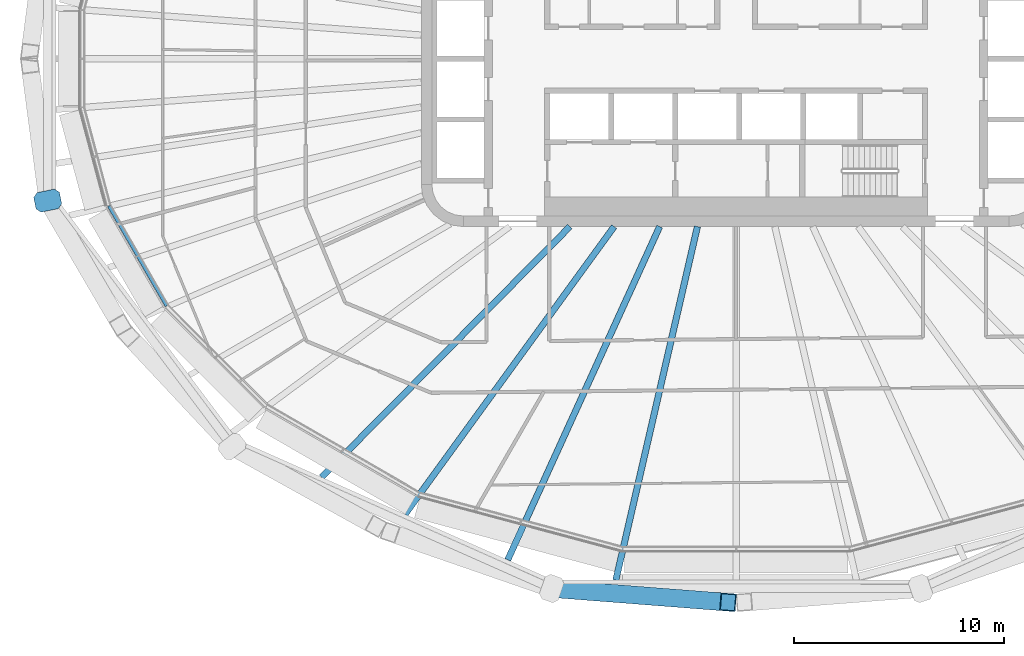
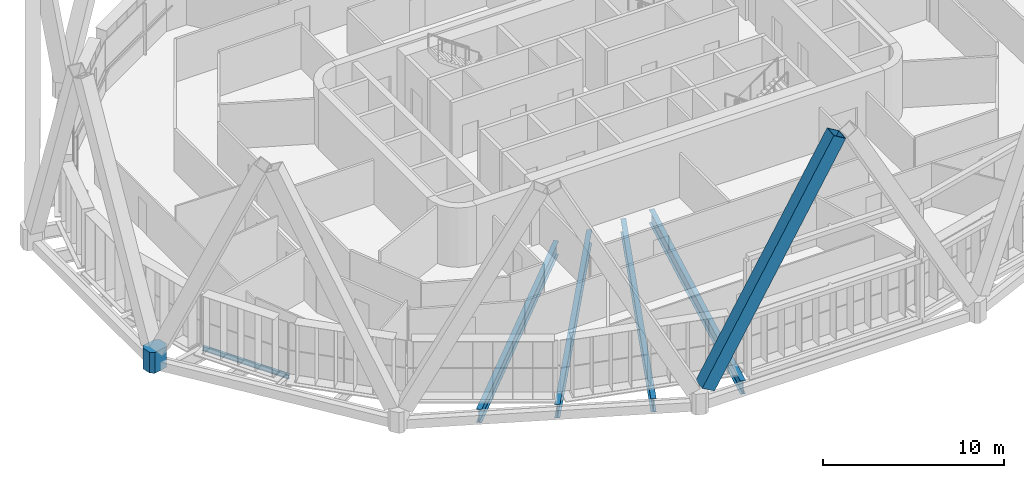
# One storey, part 2 of 25: 5 beams, 2 members.
"""IFC4 building model written with IfcOpenShell, lengths in metres."""

import ifcopenshell
import ifcopenshell.guid

model = None  # the IFC model being written
_history = None  # IfcOwnerHistory: only IFC2X3 demands one
_inside = {}  # id of a spatial element -> (the spatial element, [elements in it])
_under = {}  # id of a project, library or spatial element -> (it, [spatial elements below it])
_declared = {}  # id of a project -> (the project, [libraries it declares])
_typed = {}  # id of a type object -> (the type object, [elements of that type])
_made_of = {}  # id of a material, layer set ... -> (it, [elements and type objects made of it])


def new_model(schema):
    """Start an empty IFC model of exactly this schema.

    Asked for "IFC4X3", IfcOpenShell would pick the latest addendum, in which some entities
    have other attributes; the version numbers below select the first issue.
    IFC2X3 requires an IfcOwnerHistory on every rooted entity: one is made here for all.
    """
    global model, _history
    if schema == "IFC4X3":
        model = ifcopenshell.file(schema_version=(4, 3, 0, 0))
    else:
        model = ifcopenshell.file(schema=schema)
    _inside.clear()
    _under.clear()
    _declared.clear()
    _typed.clear()
    _made_of.clear()
    _history = None
    if model.schema == "IFC2X3":
        org = make("IfcOrganization", Name="unknown")
        user = make(
            "IfcPersonAndOrganization",
            ThePerson=make("IfcPerson", FamilyName="unknown"),
            TheOrganization=org,
        )
        app = make(
            "IfcApplication",
            ApplicationDeveloper=org,
            Version="unknown",
            ApplicationFullName="unknown",
            ApplicationIdentifier="unknown",
        )
        _history = make(
            "IfcOwnerHistory",
            OwningUser=user,
            OwningApplication=app,
            ChangeAction="ADDED",
            CreationDate=0,
        )
    return model


def make(cls, **values):
    """One entity of the class cls with the attributes given. An attribute that is None is left unset."""
    return model.create_entity(
        cls, **{name: value for name, value in values.items() if value is not None}
    )


def rooted(cls, **values):
    """An entity with a GlobalId (a new one), such as an element, a storey or a relation."""
    return make(cls, GlobalId=ifcopenshell.guid.new(), OwnerHistory=_history, **values)


def si_unit(unit_type, name, prefix=None):
    """IfcSIUnit, for example si_unit("LENGTHUNIT", "METRE", prefix="MILLI")."""
    return make("IfcSIUnit", UnitType=unit_type, Prefix=prefix, Name=name)


def assignment(units):
    """IfcUnitAssignment: the units of a project."""
    return None if units is None else make("IfcUnitAssignment", Units=units)


def point(xyz):
    """IfcCartesianPoint."""
    return None if xyz is None else make("IfcCartesianPoint", Coordinates=xyz)


def direction(xyz):
    """IfcDirection."""
    return None if xyz is None else make("IfcDirection", DirectionRatios=xyz)


def frame(location, z_axis=None, x_axis=None):
    """IfcAxis2Placement3D, a coordinate frame: its origin and axes. An axis left out is left unset."""
    return make(
        "IfcAxis2Placement3D",
        Location=point(location),
        Axis=direction(z_axis),
        RefDirection=direction(x_axis),
    )


def frame_2d(location, x_axis=None):
    """IfcAxis2Placement2D, a coordinate frame in the plane: its origin and x axis."""
    return make(
        "IfcAxis2Placement2D", Location=point(location), RefDirection=direction(x_axis)
    )


def origin():
    """The frame at (0, 0, 0) with its axes left unset."""
    return frame((0.0, 0.0, 0.0))


def origin_2d():
    """The frame at (0, 0) in the plane with its x axis left unset."""
    return frame_2d((0.0, 0.0))


def place(relative_to, where):
    """IfcLocalPlacement: puts the frame where relative to a parent placement (None: the world)."""
    return make(
        "IfcLocalPlacement", PlacementRelTo=relative_to, RelativePlacement=where
    )


def context(
    kind, dimensions, precision=None, world=None, true_north=None, identifier=None
):
    """IfcGeometricRepresentationContext, for example the 3D "Model" context."""
    return make(
        "IfcGeometricRepresentationContext",
        ContextIdentifier=identifier,
        ContextType=kind,
        CoordinateSpaceDimension=dimensions,
        Precision=precision,
        WorldCoordinateSystem=world,
        TrueNorth=true_north,
    )


def subcontext(parent, identifier, kind, view, scale=None):
    """IfcGeometricRepresentationSubContext, for example "Body" below "Model"."""
    return make(
        "IfcGeometricRepresentationSubContext",
        ContextIdentifier=identifier,
        ContextType=kind,
        ParentContext=parent,
        TargetScale=scale,
        TargetView=view,
    )


def project(units=None, contexts=None):
    """IfcProject with its units and contexts."""
    return rooted(
        "IfcProject",
        Name="project",
        RepresentationContexts=contexts,
        UnitsInContext=assignment(units),
    )


def spatial(cls, under=None, at=None, **own):
    """A site, building, storey or space (cls), placed at a placement, below another one or the project."""
    s = rooted(cls, ObjectPlacement=at, **own)
    if under is not None:
        _under.setdefault(under.id(), (under, []))[1].append(s)
    return s


def polyline(points):
    """IfcPolyline through the points."""
    return make("IfcPolyline", Points=[point(p) for p in points])


def profile(cls, at=None, kind="AREA", **sizes):
    """A parametric profile (cls). Its sizes go by their IFC names, for example OverallWidth=200.0."""
    return make(cls, ProfileType=kind, Position=at, **sizes)


def hollow_rectangle(**sizes):
    """IfcRectangleHollowProfileDef."""
    return profile("IfcRectangleHollowProfileDef", **sizes)


def i_section(**sizes):
    """IfcIShapeProfileDef."""
    return profile("IfcIShapeProfileDef", **sizes)


def outline(outer, holes=None, kind="AREA"):
    """IfcArbitraryClosedProfileDef: a profile drawn as a closed curve; with holes, ...WithVoids."""
    if holes is None:
        return make("IfcArbitraryClosedProfileDef", ProfileType=kind, OuterCurve=outer)
    return make(
        "IfcArbitraryProfileDefWithVoids",
        ProfileType=kind,
        OuterCurve=outer,
        InnerCurves=holes,
    )


def extrude(swept, where, along, depth):
    """IfcExtrudedAreaSolid: the profile swept, set in the frame where, extruded along a direction by depth."""
    return make(
        "IfcExtrudedAreaSolid",
        SweptArea=swept,
        Position=where,
        ExtrudedDirection=direction(along),
        Depth=depth,
    )


def shape(context_of_items, identifier, shape_type, items):
    """IfcShapeRepresentation: the items that make up one representation, for example the "Body"."""
    return make(
        "IfcShapeRepresentation",
        ContextOfItems=context_of_items,
        RepresentationIdentifier=identifier,
        RepresentationType=shape_type,
        Items=items,
    )


def material(Name=None, Category=None):
    """IfcMaterial."""
    return make("IfcMaterial", Name=Name, Category=Category)


def material_profile(
    of_material, cross_section, Name=None, Category=None, Priority=None
):
    """IfcMaterialProfile: a cross section and its material."""
    return make(
        "IfcMaterialProfile",
        Name=Name,
        Material=of_material,
        Profile=cross_section,
        Priority=Priority,
        Category=Category,
    )


def profile_set(profiles, Name=None, composite=None):
    """IfcMaterialProfileSet."""
    return make(
        "IfcMaterialProfileSet",
        Name=Name,
        MaterialProfiles=profiles,
        CompositeProfile=composite,
    )


def made_of(thing, what):
    """Note that an element or type object is made of a material, layer set ...; save() writes the relation."""
    if what is not None:
        _made_of.setdefault(what.id(), (what, []))[1].append(thing)
    return thing


def type_object(cls, material=None, **own):
    """A type object (cls), such as IfcWallType, which elements share."""
    return made_of(rooted(cls, **own), material)


def element(
    cls,
    number,
    at=None,
    inside=None,
    cuts=None,
    type_object=None,
    material=None,
    context=None,
    identifier="Body",
    shape_type=None,
    held_by="IfcProductDefinitionShape",
    body=None,
    shapes=None,
    **own,
):
    """One element of the class cls, such as IfcWall. Its Tag is "e" and its number.

    at: its placement. inside: the storey or other place that contains it. cuts: it is an
    opening in that element (IfcRelVoidsElement). A single representation is given by context,
    identifier, shape_type and body (its items); several are given by shapes. held_by: the class
    of the entity that holds the representations. save() writes the other relations.
    """
    e = rooted(cls, Tag="e%d" % number, ObjectPlacement=at, **own)
    if body is not None:
        shapes = [shape(context, identifier, shape_type, body)]
    if shapes is not None:
        e.Representation = make(held_by, Representations=shapes)
    if inside is not None:
        _inside.setdefault(inside.id(), (inside, []))[1].append(e)
    if cuts is not None:
        rooted(
            "IfcRelVoidsElement", RelatingBuildingElement=cuts, RelatedOpeningElement=e
        )
    if type_object is not None:
        _typed.setdefault(type_object.id(), (type_object, []))[1].append(e)
    return made_of(e, material)


def aggregate(whole, parts):
    """IfcRelAggregates: a whole, such as a stair, and the parts it consists of."""
    return rooted("IfcRelAggregates", RelatingObject=whole, RelatedObjects=parts)


def save(model, path):
    """Write the relations noted so far, then the file.

    IfcRelAggregates (storeys below a building ...), IfcRelContainedInSpatialStructure (elements
    in a storey), IfcRelDefinesByType, IfcRelAssociatesMaterial and IfcRelDeclares: one each for
    every whole, place, type object, material and project.
    """
    for whole, parts in _under.values():
        aggregate(whole, parts)
    for where, things in _inside.values():
        rooted(
            "IfcRelContainedInSpatialStructure",
            RelatedElements=things,
            RelatingStructure=where,
        )
    for kind, things in _typed.values():
        rooted("IfcRelDefinesByType", RelatedObjects=things, RelatingType=kind)
    for what, things in _made_of.values():
        rooted("IfcRelAssociatesMaterial", RelatedObjects=things, RelatingMaterial=what)
    for by, libraries in _declared.values():
        rooted("IfcRelDeclares", RelatingContext=by, RelatedDefinitions=libraries)
    model.write(path)


model = new_model("IFC4")

# Units and contexts
model_context = context("Model", 3, precision=1e-05, world=origin(), true_north=direction((0.0, 1.0)))
body_context = subcontext(model_context, "Body", "Model", "MODEL_VIEW")
ifc_project = project(units=[si_unit("LENGTHUNIT", "METRE"), si_unit("AREAUNIT", "SQUARE_METRE"), si_unit("VOLUMEUNIT", "CUBIC_METRE"), si_unit("PLANEANGLEUNIT", "RADIAN"), si_unit("MASSUNIT", "GRAM", prefix="KILO")], contexts=[model_context])

# Site, building, storey
site_placement = place(None, origin())
site = spatial("IfcSite", under=ifc_project, at=site_placement, CompositionType="ELEMENT")
building_placement = place(site_placement, origin())
building = spatial("IfcBuilding", under=site, at=building_placement, Name="Sahrelin Media Tower", CompositionType="ELEMENT")
storey_placement = place(building_placement, frame((0.0, 0.0, 165.60009765625)))
storey = spatial("IfcBuildingStorey", under=building, at=storey_placement, Name="L34", CompositionType="ELEMENT", Elevation=165.60009765625)

# Members
ifc_material_1 = material(Name="Steel S460", Category="steel")
ifc_material_profile_1 = material_profile(ifc_material_1, hollow_rectangle(XDim=0.85009765625, YDim=0.85009765625, WallThickness=0.044921875, at=origin_2d()), Name="Diagrid diagonal DG4")
ifc_profile_set_1 = profile_set([ifc_material_profile_1], Name="Steel S460")
member_type_1 = type_object("IfcMemberType", Name="Diagrid diagonal DG4", PredefinedType="BRACE", material=ifc_profile_set_1)
member_1_placement = place(storey_placement, frame((-8.40283203125, -25.27197265625, 0.699951171875), z_axis=(0.481047433854, -0.037364187308, 0.875897987148), x_axis=(0.077439317921, 0.996997067217, 0.0)))
element("IfcMember", 1, at=member_1_placement, inside=storey, type_object=member_type_1, Name="Diagrid diagonal D07-17", PredefinedType="BRACE", context=body_context, shape_type="SweptSolid", body=[
    extrude(hollow_rectangle(XDim=0.85009765625, YDim=0.85009765625, WallThickness=0.044921875, at=origin_2d()), origin(), (0.0, 0.0, 1.0), 16.66845703125),
])
ifc_material_profile_2 = material_profile(ifc_material_1, outline(polyline([(0.425048828125, -0.47509765625), (0.625, -0.27490234375), (0.625, 0.27490234375), (0.425048828125, 0.47509765625), (-0.425048828125, 0.47509765625), (-0.625, 0.27490234375), (-0.625, -0.27490234375), (-0.425048828125, -0.47509765625), (0.425048828125, -0.47509765625)])), Name="Diagrid node block 1250")
ifc_profile_set_2 = profile_set([ifc_material_profile_2], Name="Steel S460")
member_type_2 = type_object("IfcMemberType", Name="Diagrid node block 1250", PredefinedType="USERDEFINED", material=ifc_profile_set_2)
member_2_placement = place(storey_placement, frame((-32.794677734375, -6.763671875, -0.7001953125), z_axis=(0.0, 0.0, 1.0), x_axis=(-0.979387770926, -0.201989094163, 0.0)))
element("IfcMember", 2, at=member_2_placement, inside=storey, type_object=member_type_2, Name="Diagrid node N07-06", ObjectType="NODE", PredefinedType="USERDEFINED", context=body_context, shape_type="SweptSolid", body=[
    extrude(outline(polyline([(0.425048828125, -0.47509765625), (0.625, -0.27490234375), (0.625, 0.27490234375), (0.425048828125, 0.47509765625), (-0.425048828125, 0.47509765625), (-0.625, 0.27490234375), (-0.625, -0.27490234375), (-0.425048828125, -0.47509765625), (0.425048828125, -0.47509765625)])), origin(), (0.0, 0.0, 1.0), 1.400146484375),
])

# Beams
ifc_material_2 = material(Name="Steel S355", Category="steel")
ifc_material_profile_3 = material_profile(ifc_material_2, i_section(OverallWidth=0.1650390625, OverallDepth=0.303466796875, WebThickness=0.006103515625, FlangeThickness=0.01025390625, FilletRadius=0.0087890625, at=origin_2d()), Name="UB 305x165x40")
ifc_profile_set_3 = profile_set([ifc_material_profile_3], Name="Steel S355")
beam_type_1 = type_object("IfcBeamType", Name="Edge beam EB2", PredefinedType="BEAM", material=ifc_profile_set_3)
beam_1_placement = place(storey_placement, frame((-27.124267578125, -11.77392578125, -0.3017578125), z_axis=(-0.499995531332, 0.866027983755, 0.0), x_axis=(-0.866027983755, -0.499995531332, 0.0)))
element("IfcBeam", 3, at=beam_1_placement, inside=storey, type_object=beam_type_1, Name="Edge beam L34-11", PredefinedType="BEAM", context=body_context, shape_type="SweptSolid", body=[
    extrude(i_section(OverallWidth=0.1650390625, OverallDepth=0.303466796875, WebThickness=0.006103515625, FlangeThickness=0.01025390625, FilletRadius=0.0087890625, at=origin_2d()), origin(), (0.0, 0.0, 1.0), 5.49462890625),
])
ifc_material_profile_4 = material_profile(ifc_material_2, i_section(OverallWidth=0.30322265625, OverallDepth=0.903076171875, WebThickness=0.01513671875, FlangeThickness=0.020263671875, FilletRadius=0.01904296875, at=origin_2d()), Name="UB 914x305x201")
ifc_profile_set_4 = profile_set([ifc_material_profile_4], Name="Steel S355")
beam_type_2 = type_object("IfcBeamType", Name="Radial primary beam PB11", PredefinedType="BEAM", material=ifc_profile_set_4)
beam_2_placement = place(storey_placement, frame((-5.813232421875, -8.0, -0.6015625), z_axis=(-0.587842616911, -0.808975313432, 0.0), x_axis=(0.808975313432, -0.587842616911, 0.0)))
element("IfcBeam", 4, at=beam_2_placement, inside=storey, type_object=beam_type_2, Name="Radial beam L34-17", PredefinedType="BEAM", context=body_context, shape_type="SweptSolid", body=[
    extrude(i_section(OverallWidth=0.30322265625, OverallDepth=0.903076171875, WebThickness=0.01513671875, FlangeThickness=0.020263671875, FilletRadius=0.01904296875, at=origin_2d()), origin(), (0.0, 0.0, 1.0), 16.941650390625),
])
beam_3_placement = place(storey_placement, frame((-1.845458984375, -8.0, -0.6015625), z_axis=(-0.224792471001, -0.974406663042, 0.0), x_axis=(0.974406663042, -0.224792471001, 0.0)))
element("IfcBeam", 5, at=beam_3_placement, inside=storey, type_object=beam_type_2, Name="Radial beam L34-18", PredefinedType="BEAM", context=body_context, shape_type="SweptSolid", body=[
    extrude(i_section(OverallWidth=0.30322265625, OverallDepth=0.903076171875, WebThickness=0.01513671875, FlangeThickness=0.020263671875, FilletRadius=0.01904296875, at=origin_2d()), origin(), (0.0, 0.0, 1.0), 17.2890625),
])
ifc_material_profile_5 = material_profile(ifc_material_2, i_section(OverallWidth=0.30322265625, OverallDepth=0.903076171875, WebThickness=0.01513671875, FlangeThickness=0.020263671875, FilletRadius=0.01904296875, at=origin_2d()), Name="UB 914x305x201")
ifc_profile_set_5 = profile_set([ifc_material_profile_5], Name="Steel S355")
beam_type_3 = type_object("IfcBeamType", Name="Radial secondary beam SB11", PredefinedType="BEAM", material=ifc_profile_set_5)
beam_4_placement = place(storey_placement, frame((-7.922119140625, -8.0, -0.6015625), z_axis=(-0.703633012288, -0.710563567894, 0.0), x_axis=(0.710563567894, -0.703633012288, 0.0)))
element("IfcBeam", 6, at=beam_4_placement, inside=storey, type_object=beam_type_3, Name="Secondary beam L34-16", PredefinedType="BEAM", context=body_context, shape_type="SweptSolid", body=[
    extrude(i_section(OverallWidth=0.30322265625, OverallDepth=0.903076171875, WebThickness=0.01513671875, FlangeThickness=0.020263671875, FilletRadius=0.01904296875, at=origin_2d()), origin(), (0.0, 0.0, 1.0), 16.80322265625),
])
beam_5_placement = place(storey_placement, frame((-3.645263671875, -8.0, -0.6015625), z_axis=(-0.414653440066, -0.909979408911, 0.0), x_axis=(0.909979408911, -0.414653440066, 0.0)))
element("IfcBeam", 7, at=beam_5_placement, inside=storey, type_object=beam_type_3, Name="Secondary beam L34-17", PredefinedType="BEAM", context=body_context, shape_type="SweptSolid", body=[
    extrude(i_section(OverallWidth=0.30322265625, OverallDepth=0.903076171875, WebThickness=0.01513671875, FlangeThickness=0.020263671875, FilletRadius=0.01904296875, at=origin_2d()), origin(), (0.0, 0.0, 1.0), 17.44970703125),
])

save(model, "model.ifc")
